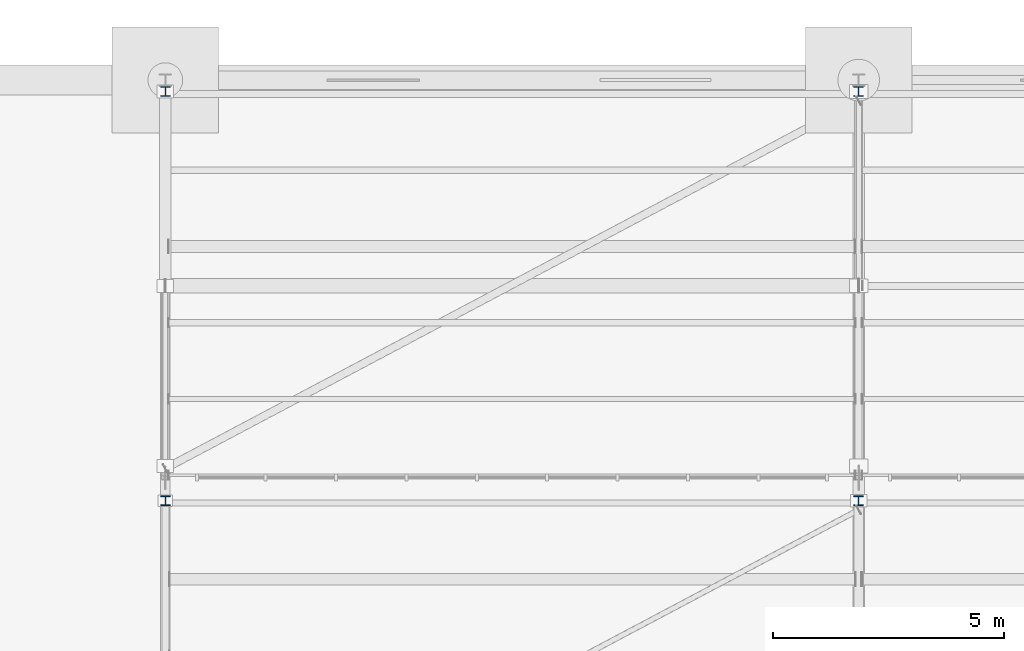
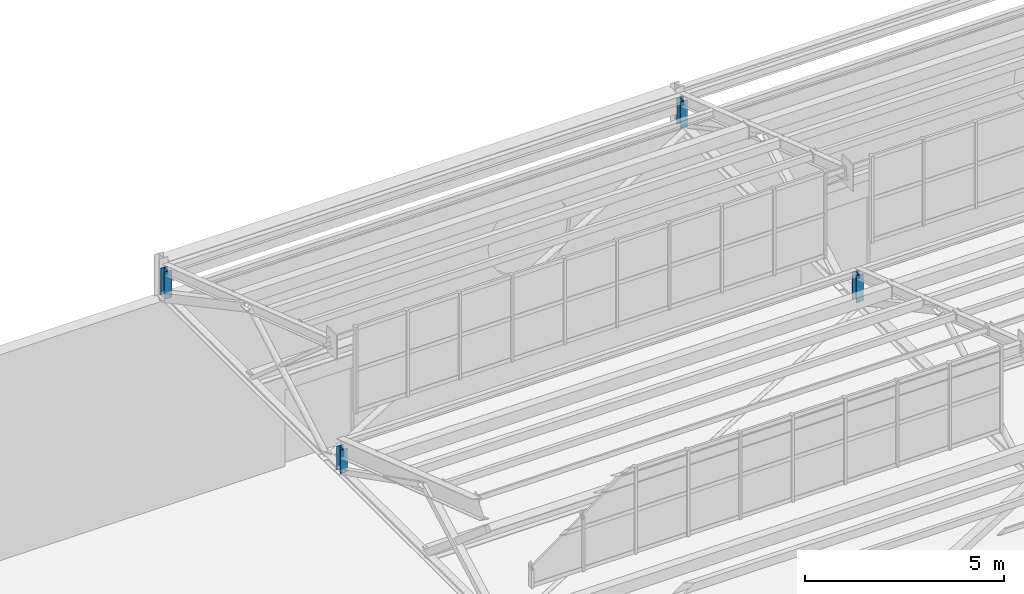
# One storey, part 157 of 285: 4 members.
"""IFC4 building model written with IfcOpenShell, lengths in metres."""

from ifc_helpers import new_model, si_unit, direction, frame, origin, origin_2d, place, context, subcontext, project, spatial, i_section, extrude, material, material_profile, profile_set, type_object, element, save


model = new_model("IFC4")

# Units and contexts
model_context = context("Model", 3, precision=1e-05, world=origin(), true_north=direction((0.0, 1.0)))
body_context = subcontext(model_context, "Body", "Model", "MODEL_VIEW")
ifc_project = project(units=[si_unit("LENGTHUNIT", "METRE"), si_unit("AREAUNIT", "SQUARE_METRE"), si_unit("VOLUMEUNIT", "CUBIC_METRE"), si_unit("PLANEANGLEUNIT", "RADIAN"), si_unit("MASSUNIT", "GRAM", prefix="KILO")], contexts=[model_context])

# Site, building, storey
site_placement = place(None, origin())
site = spatial("IfcSite", under=ifc_project, at=site_placement, CompositionType="ELEMENT")
building_placement = place(site_placement, origin())
building = spatial("IfcBuilding", under=site, at=building_placement, Name="Solanera Park Tramway Depot", CompositionType="ELEMENT")
storey_placement = place(building_placement, origin())
storey = spatial("IfcBuildingStorey", under=building, at=storey_placement, Name="L00", CompositionType="ELEMENT", Elevation=0.0)

# Members
ifc_material = material(Name="Steel AS/NZS 3679.1 Grade 350", Category="steel")
ifc_material_profile = material_profile(ifc_material, i_section(OverallWidth=0.205078125, OverallDepth=0.209716796875, WebThickness=0.00927734375, FlangeThickness=0.01416015625, at=origin_2d()), Name="200UC59.5")
ifc_profile_set = profile_set([ifc_material_profile], Name="Steel AS/NZS 3679.1 Grade 350")
member_type = type_object("IfcMemberType", Name="Roof Gantry Compression Strut 200UC59.5", PredefinedType="STRUT", material=ifc_profile_set)
member_1_placement = place(storey_placement, frame((15.0, 134.89990234375, 6.5), z_axis=(0.0, 0.0, 1.0), x_axis=(1.0, 0.0, 0.0)))
element("IfcMember", 1, at=member_1_placement, inside=storey, type_object=member_type, Name="Sawtooth ROOF TRUSS Valley Post 200UC59.5 #0085", PredefinedType="STRUT", context=body_context, shape_type="SweptSolid", body=[
    extrude(i_section(OverallWidth=0.205078125, OverallDepth=0.209716796875, WebThickness=0.00927734375, FlangeThickness=0.01416015625, at=origin_2d()), origin(), (0.0, 0.0, 1.0), 0.724365234375),
])
for number, where, z_axis, x_axis, name in (
    (2, (30.0, 134.89990234375, 6.5), (0.0, 0.0, 1.0), (1.0, 0.0, 0.0), "Sawtooth ROOF TRUSS Valley Post 200UC59.5 #0086"),
    (3, (15.0, 143.75, 6.5), (0.0, 0.0, 1.0), (1.0, 0.0, 0.0), "Sawtooth ROOF TRUSS Valley Post 200UC59.5 #0093"),
):
    element("IfcMember", number, at=place(storey_placement, frame(where, z_axis=z_axis, x_axis=x_axis)), inside=storey, type_object=member_type, Name=name, PredefinedType="STRUT", context=body_context, shape_type="SweptSolid", body=[
        extrude(i_section(OverallWidth=0.205078125, OverallDepth=0.209716796875, WebThickness=0.00927734375, FlangeThickness=0.01416015625, at=origin_2d()), origin(), (0.0, 0.0, 1.0), 0.83740234375),
    ])
member_2_placement = place(storey_placement, frame((30.0, 143.75, 6.5), z_axis=(0.0, 0.0, 1.0), x_axis=(1.0, 0.0, 0.0)))
element("IfcMember", 4, at=member_2_placement, inside=storey, type_object=member_type, Name="Sawtooth ROOF TRUSS Valley Post 200UC59.5 #0094", PredefinedType="STRUT", context=body_context, shape_type="SweptSolid", body=[
    extrude(i_section(OverallWidth=0.205078125, OverallDepth=0.209716796875, WebThickness=0.00927734375, FlangeThickness=0.01416015625, at=origin_2d()), origin(), (0.0, 0.0, 1.0), 0.81298828125),
])

save(model, "model.ifc")
